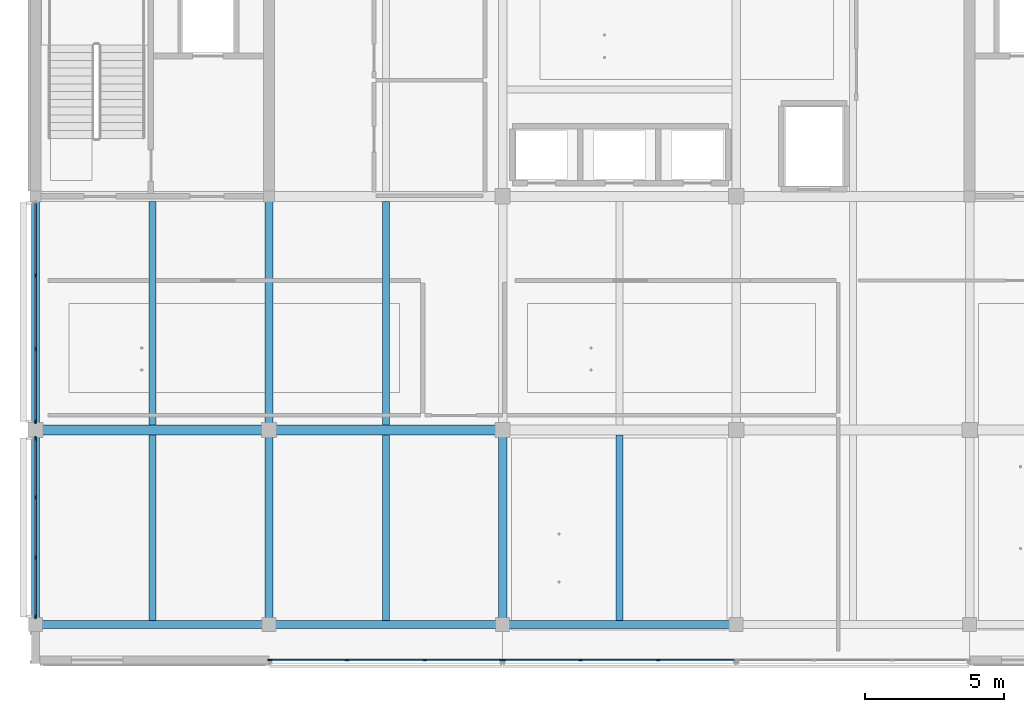
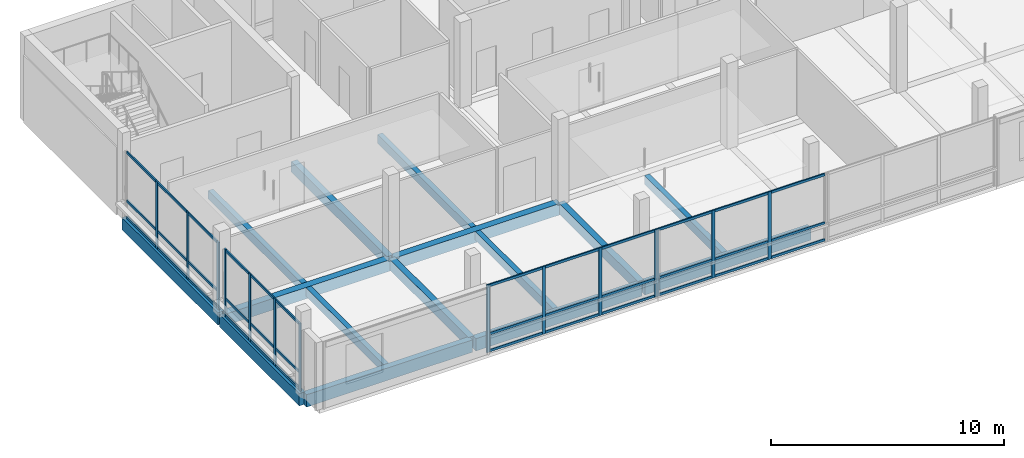
# One storey, part 2 of 20: 50 members, 15 beams, 4 elements without a shape of their own.
"""IFC4 building model written with IfcOpenShell, lengths in metres."""

from ifc_helpers import new_model, si_unit, direction, frame, origin, origin_2d, place, context, subcontext, project, spatial, rectangle, extrude, material, layer, layer_set, material_profile, profile_set, type_object, element, aggregate, save


model = new_model("IFC4")

# Units and contexts
model_context = context("Model", 3, precision=1e-05, world=origin(), true_north=direction((0.0, 1.0)))
body_context = subcontext(model_context, "Body", "Model", "MODEL_VIEW")
ifc_project = project(units=[si_unit("LENGTHUNIT", "METRE"), si_unit("AREAUNIT", "SQUARE_METRE"), si_unit("VOLUMEUNIT", "CUBIC_METRE"), si_unit("PLANEANGLEUNIT", "RADIAN"), si_unit("MASSUNIT", "GRAM", prefix="KILO")], contexts=[model_context])

# Site, building, storey
site_placement = place(None, origin())
site = spatial("IfcSite", under=ifc_project, at=site_placement, CompositionType="ELEMENT")
building_placement = place(site_placement, origin())
building = spatial("IfcBuilding", under=site, at=building_placement, Name="Telukmera Botanical Conservatory", CompositionType="ELEMENT")
storey_placement = place(building_placement, frame((0.0, 0.0, 69.0)))
storey = spatial("IfcBuildingStorey", under=building, at=storey_placement, Name="L15", CompositionType="ELEMENT", Elevation=69.0)

# Beams
ifc_material_1 = material(Name="Concrete C40/50", Category="concrete")
ifc_material_profile_1 = material_profile(ifc_material_1, rectangle(XDim=0.300048828125, YDim=0.550048828125, at=origin_2d()), Name="RC 300x550")
ifc_profile_set_1 = profile_set([ifc_material_profile_1], Name="Concrete C40/50")
beam_type_1 = type_object("IfcBeamType", Name="Beam_B10", PredefinedType="BEAM", material=ifc_profile_set_1)
beam_1_placement = place(storey_placement, frame((67.199951171875, 10.679931640625, -0.27490234375), z_axis=(0.0, 1.0, 0.0), x_axis=(-1.0, 0.0, 0.0)))
element("IfcBeam", 1, at=beam_1_placement, inside=storey, type_object=beam_type_1, Name="Tower Transverse Beam L15", PredefinedType="BEAM", context=body_context, shape_type="SweptSolid", body=[
    extrude(rectangle(XDim=0.300048828125, YDim=0.550048828125, at=origin_2d()), origin(), (0.0, 0.0, 1.0), 6.840087890625),
])
beam_2_placement = place(storey_placement, frame((67.199951171875, 17.679931640625, -0.27490234375), z_axis=(0.0, 1.0, 0.0), x_axis=(-1.0, 0.0, 0.0)))
element("IfcBeam", 2, at=beam_2_placement, inside=storey, type_object=beam_type_1, Name="Tower Transverse Beam L15", PredefinedType="BEAM", context=body_context, shape_type="SweptSolid", body=[
    extrude(rectangle(XDim=0.300048828125, YDim=0.550048828125, at=origin_2d()), origin(), (0.0, 0.0, 1.0), 8.239990234375),
])
beam_3_placement = place(storey_placement, frame((75.60009765625, 10.679931640625, -0.27490234375), z_axis=(0.0, 1.0, 0.0), x_axis=(-1.0, 0.0, 0.0)))
element("IfcBeam", 3, at=beam_3_placement, inside=storey, type_object=beam_type_1, Name="Tower Transverse Beam L15", PredefinedType="BEAM", context=body_context, shape_type="SweptSolid", body=[
    extrude(rectangle(XDim=0.300048828125, YDim=0.550048828125, at=origin_2d()), origin(), (0.0, 0.0, 1.0), 6.840087890625),
])
ifc_material_profile_2 = material_profile(ifc_material_1, rectangle(XDim=0.25, YDim=0.449951171875, at=origin_2d()), Name="RC 250x450")
ifc_profile_set_2 = profile_set([ifc_material_profile_2], Name="Concrete C40/50")
beam_type_2 = type_object("IfcBeamType", Name="Beam_B27", PredefinedType="JOIST", material=ifc_profile_set_2)
beam_4_placement = place(storey_placement, frame((63.0, 10.75, -0.22509765625), z_axis=(0.0, 1.0, 0.0), x_axis=(-1.0, 0.0, 0.0)))
element("IfcBeam", 4, at=beam_4_placement, inside=storey, type_object=beam_type_2, Name="Tower Secondary Floor Joist L15", PredefinedType="JOIST", context=body_context, shape_type="SweptSolid", body=[
    extrude(rectangle(XDim=0.25, YDim=0.449951171875, at=origin_2d()), origin(), (0.0, 0.0, 1.0), 6.675048828125),
])
beam_5_placement = place(storey_placement, frame((63.0, 17.77490234375, -0.22509765625), z_axis=(0.0, 1.0, 0.0), x_axis=(-1.0, 0.0, 0.0)))
element("IfcBeam", 5, at=beam_5_placement, inside=storey, type_object=beam_type_2, Name="Tower Secondary Floor Joist L15", PredefinedType="JOIST", context=body_context, shape_type="SweptSolid", body=[
    extrude(rectangle(XDim=0.25, YDim=0.449951171875, at=origin_2d()), origin(), (0.0, 0.0, 1.0), 8.050048828125),
])
beam_6_placement = place(storey_placement, frame((71.39990234375, 10.75, -0.22509765625), z_axis=(0.0, 1.0, 0.0), x_axis=(-1.0, 0.0, 0.0)))
element("IfcBeam", 6, at=beam_6_placement, inside=storey, type_object=beam_type_2, Name="Tower Secondary Floor Joist L15", PredefinedType="JOIST", context=body_context, shape_type="SweptSolid", body=[
    extrude(rectangle(XDim=0.25, YDim=0.449951171875, at=origin_2d()), origin(), (0.0, 0.0, 1.0), 6.675048828125),
])
beam_7_placement = place(storey_placement, frame((71.39990234375, 17.77490234375, -0.22509765625), z_axis=(0.0, 1.0, 0.0), x_axis=(-1.0, 0.0, 0.0)))
element("IfcBeam", 7, at=beam_7_placement, inside=storey, type_object=beam_type_2, Name="Tower Secondary Floor Joist L15", PredefinedType="JOIST", context=body_context, shape_type="SweptSolid", body=[
    extrude(rectangle(XDim=0.25, YDim=0.449951171875, at=origin_2d()), origin(), (0.0, 0.0, 1.0), 8.050048828125),
])
beam_8_placement = place(storey_placement, frame((79.800048828125, 10.75, -0.22509765625), z_axis=(0.0, 1.0, 0.0), x_axis=(-1.0, 0.0, 0.0)))
element("IfcBeam", 8, at=beam_8_placement, inside=storey, type_object=beam_type_2, Name="Tower Secondary Floor Joist L15", PredefinedType="JOIST", context=body_context, shape_type="SweptSolid", body=[
    extrude(rectangle(XDim=0.25, YDim=0.449951171875, at=origin_2d()), origin(), (0.0, 0.0, 1.0), 6.675048828125),
])
ifc_material_profile_3 = material_profile(ifc_material_1, rectangle(XDim=0.35009765625, YDim=0.60009765625, at=origin_2d()), Name="RC 350x600")
ifc_profile_set_3 = profile_set([ifc_material_profile_3], Name="Concrete C40/50")
beam_type_3 = type_object("IfcBeamType", Name="Beam_B9", PredefinedType="BEAM", material=ifc_profile_set_3)
beam_9_placement = place(storey_placement, frame((58.8798828125, 17.60009765625, -0.300048828125), z_axis=(1.0, 0.0, 0.0), x_axis=(0.0, 1.0, 0.0)))
element("IfcBeam", 9, at=beam_9_placement, inside=storey, type_object=beam_type_3, Name="Tower Grid Beam L15", PredefinedType="BEAM", context=body_context, shape_type="SweptSolid", body=[
    extrude(rectangle(XDim=0.35009765625, YDim=0.60009765625, at=origin_2d()), origin(), (0.0, 0.0, 1.0), 8.240234375),
])
beam_10_placement = place(storey_placement, frame((67.280029296875, 17.60009765625, -0.300048828125), z_axis=(1.0, 0.0, 0.0), x_axis=(0.0, 1.0, 0.0)))
element("IfcBeam", 10, at=beam_10_placement, inside=storey, type_object=beam_type_3, Name="Tower Grid Beam L15", PredefinedType="BEAM", context=body_context, shape_type="SweptSolid", body=[
    extrude(rectangle(XDim=0.35009765625, YDim=0.60009765625, at=origin_2d()), origin(), (0.0, 0.0, 1.0), 8.239990234375),
])
ifc_material_2 = material(Name="Precast concrete C40/50", Category="concrete")
ifc_material_profile_4 = material_profile(ifc_material_2, rectangle(XDim=0.300048828125, YDim=0.64990234375, at=origin_2d()), Name="PC 300x650")
ifc_profile_set_4 = profile_set([ifc_material_profile_4], Name="Precast concrete C40/50")
beam_type_4 = type_object("IfcBeamType", Name="Beam_SP4", PredefinedType="SPANDREL", material=ifc_profile_set_4)
beam_11_placement = place(storey_placement, frame((58.8798828125, 10.60009765625, -0.324951171875), z_axis=(1.0, 0.0, 0.0), x_axis=(0.0, 1.0, 0.0)))
element("IfcBeam", 11, at=beam_11_placement, inside=storey, type_object=beam_type_4, Name="Tower Grid Beam L15", PredefinedType="SPANDREL", context=body_context, shape_type="SweptSolid", body=[
    extrude(rectangle(XDim=0.300048828125, YDim=0.64990234375, at=origin_2d()), origin(), (0.0, 0.0, 1.0), 8.240234375),
])
for number, where, z_axis, x_axis, name in (
    (12, (67.280029296875, 10.60009765625, -0.324951171875), (1.0, 0.0, 0.0), (0.0, 1.0, 0.0), "Tower Grid Beam L15"),
    (13, (75.679931640625, 10.60009765625, -0.324951171875), (1.0, 0.0, 0.0), (0.0, 1.0, 0.0), "Tower Grid Beam L15"),
):
    element("IfcBeam", number, at=place(storey_placement, frame(where, z_axis=z_axis, x_axis=x_axis)), inside=storey, type_object=beam_type_4, Name=name, PredefinedType="SPANDREL", context=body_context, shape_type="SweptSolid", body=[
        extrude(rectangle(XDim=0.300048828125, YDim=0.64990234375, at=origin_2d()), origin(), (0.0, 0.0, 1.0), 8.239990234375),
    ])
beam_12_placement = place(storey_placement, frame((58.800048828125, 10.679931640625, -0.324951171875), z_axis=(0.0, 1.0, 0.0), x_axis=(-1.0, 0.0, 0.0)))
element("IfcBeam", 14, at=beam_12_placement, inside=storey, type_object=beam_type_4, Name="Tower Transverse Beam L15", PredefinedType="SPANDREL", context=body_context, shape_type="SweptSolid", body=[
    extrude(rectangle(XDim=0.300048828125, YDim=0.64990234375, at=origin_2d()), origin(), (0.0, 0.0, 1.0), 6.840087890625),
])
beam_13_placement = place(storey_placement, frame((58.800048828125, 17.679931640625, -0.324951171875), z_axis=(0.0, 1.0, 0.0), x_axis=(-1.0, 0.0, 0.0)))
element("IfcBeam", 15, at=beam_13_placement, inside=storey, type_object=beam_type_4, Name="Tower Transverse Beam L15", PredefinedType="SPANDREL", context=body_context, shape_type="SweptSolid", body=[
    extrude(rectangle(XDim=0.300048828125, YDim=0.64990234375, at=origin_2d()), origin(), (0.0, 0.0, 1.0), 8.239990234375),
])

# Curtain wall, members
ifc_material_3 = material(Name="Anodised aluminium 6063-T6", Category="aluminium")
ifc_layer = layer(ifc_material_3, 0.179931640625)
ifc_layer_set = layer_set([ifc_layer], Name="Anodised aluminium 6063-T6")
curtain_wall_type = type_object("IfcCurtainWallType", Name="Tower Sky Gallery Panoramic Curtain Wall", PredefinedType="USERDEFINED", material=ifc_layer_set)
curtain_wall_1_placement = place(storey_placement, origin())
curtain_wall_1 = element("IfcCurtainWall", 16, at=curtain_wall_1_placement, inside=storey, type_object=curtain_wall_type, Name="Unitised Curtain Wall CW16 V4:L15:S2", ObjectType="UNITISED CURTAIN WALL", PredefinedType="USERDEFINED")
ifc_material_profile_5 = material_profile(ifc_material_3, rectangle(XDim=0.06494140625, YDim=0.159912109375, at=origin_2d()), Name="ALU MULL 65x160")
ifc_profile_set_5 = profile_set([ifc_material_profile_5], Name="Anodised aluminium 6063-T6")
member_type_1 = type_object("IfcMemberType", Name="Curtain Wall Extruded Mullion 65x160", PredefinedType="MULLION", material=ifc_profile_set_5)
member_1_placement = place(storey_placement, frame((67.234619140625, 9.320068359375, 0.0), z_axis=(0.0, 0.0, 1.0), x_axis=(0.0, 1.0, 0.0)))
member_1 = element("IfcMember", 17, at=member_1_placement, type_object=member_type_1, Name="CW16 mullion 1", PredefinedType="MULLION", context=body_context, shape_type="SweptSolid", body=[
    extrude(rectangle(XDim=0.06494140625, YDim=0.159912109375, at=origin_2d()), origin(), (0.0, 0.0, 1.0), 3.550048828125),
])
member_2_placement = place(storey_placement, frame((70.000732421875, 9.320068359375, 0.0), z_axis=(0.0, 0.0, 1.0), x_axis=(0.0, 1.0, 0.0)))
member_2 = element("IfcMember", 18, at=member_2_placement, type_object=member_type_1, Name="CW16 mullion 2", PredefinedType="MULLION", context=body_context, shape_type="SweptSolid", body=[
    extrude(rectangle(XDim=0.06494140625, YDim=0.159912109375, at=origin_2d()), origin(), (0.0, 0.0, 1.0), 3.550048828125),
])
member_3_placement = place(storey_placement, frame((72.79931640625, 9.320068359375, 0.0), z_axis=(0.0, 0.0, 1.0), x_axis=(0.0, 1.0, 0.0)))
member_3 = element("IfcMember", 19, at=member_3_placement, type_object=member_type_1, Name="CW16 mullion 3", PredefinedType="MULLION", context=body_context, shape_type="SweptSolid", body=[
    extrude(rectangle(XDim=0.06494140625, YDim=0.159912109375, at=origin_2d()), origin(), (0.0, 0.0, 1.0), 3.550048828125),
])
member_4_placement = place(storey_placement, frame((75.5654296875, 9.320068359375, 0.0), z_axis=(0.0, 0.0, 1.0), x_axis=(0.0, 1.0, 0.0)))
member_4 = element("IfcMember", 20, at=member_4_placement, type_object=member_type_1, Name="CW16 mullion 4", PredefinedType="MULLION", context=body_context, shape_type="SweptSolid", body=[
    extrude(rectangle(XDim=0.06494140625, YDim=0.159912109375, at=origin_2d()), origin(), (0.0, 0.0, 1.0), 3.550048828125),
])

curtain_wall_2_placement = place(storey_placement, origin())
curtain_wall_2 = element("IfcCurtainWall", 21, at=curtain_wall_2_placement, inside=storey, type_object=curtain_wall_type, Name="Unitised Curtain Wall CW16 V4:L15:S3", ObjectType="UNITISED CURTAIN WALL", PredefinedType="USERDEFINED")
member_5_placement = place(storey_placement, frame((75.634521484375, 9.320068359375, 0.0), z_axis=(0.0, 0.0, 1.0), x_axis=(0.0, 1.0, 0.0)))
member_5 = element("IfcMember", 22, at=member_5_placement, type_object=member_type_1, Name="CW16 mullion 1", PredefinedType="MULLION", context=body_context, shape_type="SweptSolid", body=[
    extrude(rectangle(XDim=0.06494140625, YDim=0.159912109375, at=origin_2d()), origin(), (0.0, 0.0, 1.0), 3.550048828125),
])
member_6_placement = place(storey_placement, frame((78.400634765625, 9.320068359375, 0.0), z_axis=(0.0, 0.0, 1.0), x_axis=(0.0, 1.0, 0.0)))
member_6 = element("IfcMember", 23, at=member_6_placement, type_object=member_type_1, Name="CW16 mullion 2", PredefinedType="MULLION", context=body_context, shape_type="SweptSolid", body=[
    extrude(rectangle(XDim=0.06494140625, YDim=0.159912109375, at=origin_2d()), origin(), (0.0, 0.0, 1.0), 3.550048828125),
])
member_7_placement = place(storey_placement, frame((81.19921875, 9.320068359375, 0.0), z_axis=(0.0, 0.0, 1.0), x_axis=(0.0, 1.0, 0.0)))
member_7 = element("IfcMember", 24, at=member_7_placement, type_object=member_type_1, Name="CW16 mullion 3", PredefinedType="MULLION", context=body_context, shape_type="SweptSolid", body=[
    extrude(rectangle(XDim=0.06494140625, YDim=0.159912109375, at=origin_2d()), origin(), (0.0, 0.0, 1.0), 3.550048828125),
])

curtain_wall_3_placement = place(storey_placement, origin())
curtain_wall_3 = element("IfcCurtainWall", 25, at=curtain_wall_3_placement, inside=storey, type_object=curtain_wall_type, Name="Unitised Curtain Wall CW16 V4:L15:W1", ObjectType="UNITISED CURTAIN WALL", PredefinedType="USERDEFINED")
member_8_placement = place(storey_placement, frame((58.800048828125, 10.884521484375, 0.0), z_axis=(0.0, 0.0, 1.0), x_axis=(-1.0, 0.0, 0.0)))
member_8 = element("IfcMember", 26, at=member_8_placement, type_object=member_type_1, Name="CW16 mullion 1", PredefinedType="MULLION", context=body_context, shape_type="SweptSolid", body=[
    extrude(rectangle(XDim=0.06494140625, YDim=0.159912109375, at=origin_2d()), origin(), (0.0, 0.0, 1.0), 3.550048828125),
])
member_9_placement = place(storey_placement, frame((58.800048828125, 13.009033203125, 0.0), z_axis=(0.0, 0.0, 1.0), x_axis=(-1.0, 0.0, 0.0)))
member_9 = element("IfcMember", 27, at=member_9_placement, type_object=member_type_1, Name="CW16 mullion 2", PredefinedType="MULLION", context=body_context, shape_type="SweptSolid", body=[
    extrude(rectangle(XDim=0.06494140625, YDim=0.159912109375, at=origin_2d()), origin(), (0.0, 0.0, 1.0), 3.550048828125),
])
member_10_placement = place(storey_placement, frame((58.800048828125, 15.166015625, 0.0), z_axis=(0.0, 0.0, 1.0), x_axis=(-1.0, 0.0, 0.0)))
member_10 = element("IfcMember", 28, at=member_10_placement, type_object=member_type_1, Name="CW16 mullion 3", PredefinedType="MULLION", context=body_context, shape_type="SweptSolid", body=[
    extrude(rectangle(XDim=0.06494140625, YDim=0.159912109375, at=origin_2d()), origin(), (0.0, 0.0, 1.0), 3.550048828125),
])
member_11_placement = place(storey_placement, frame((58.800048828125, 17.29052734375, 0.0), z_axis=(0.0, 0.0, 1.0), x_axis=(-1.0, 0.0, 0.0)))
member_11 = element("IfcMember", 29, at=member_11_placement, type_object=member_type_1, Name="CW16 mullion 4", PredefinedType="MULLION", context=body_context, shape_type="SweptSolid", body=[
    extrude(rectangle(XDim=0.06494140625, YDim=0.159912109375, at=origin_2d()), origin(), (0.0, 0.0, 1.0), 3.550048828125),
])

curtain_wall_4_placement = place(storey_placement, origin())
curtain_wall_4 = element("IfcCurtainWall", 30, at=curtain_wall_4_placement, inside=storey, type_object=curtain_wall_type, Name="Unitised Curtain Wall CW16 V4:L15:W2", ObjectType="UNITISED CURTAIN WALL", PredefinedType="USERDEFINED")
member_12_placement = place(storey_placement, frame((58.800048828125, 17.909423828125, 0.0), z_axis=(0.0, 0.0, 1.0), x_axis=(-1.0, 0.0, 0.0)))
member_12 = element("IfcMember", 31, at=member_12_placement, type_object=member_type_1, Name="CW16 mullion 1", PredefinedType="MULLION", context=body_context, shape_type="SweptSolid", body=[
    extrude(rectangle(XDim=0.06494140625, YDim=0.159912109375, at=origin_2d()), origin(), (0.0, 0.0, 1.0), 3.550048828125),
])
member_13_placement = place(storey_placement, frame((58.800048828125, 20.517333984375, 0.0), z_axis=(0.0, 0.0, 1.0), x_axis=(-1.0, 0.0, 0.0)))
member_13 = element("IfcMember", 32, at=member_13_placement, type_object=member_type_1, Name="CW16 mullion 2", PredefinedType="MULLION", context=body_context, shape_type="SweptSolid", body=[
    extrude(rectangle(XDim=0.06494140625, YDim=0.159912109375, at=origin_2d()), origin(), (0.0, 0.0, 1.0), 3.550048828125),
])
member_14_placement = place(storey_placement, frame((58.800048828125, 23.15771484375, 0.0), z_axis=(0.0, 0.0, 1.0), x_axis=(-1.0, 0.0, 0.0)))
member_14 = element("IfcMember", 33, at=member_14_placement, type_object=member_type_1, Name="CW16 mullion 3", PredefinedType="MULLION", context=body_context, shape_type="SweptSolid", body=[
    extrude(rectangle(XDim=0.06494140625, YDim=0.159912109375, at=origin_2d()), origin(), (0.0, 0.0, 1.0), 3.550048828125),
])

# Member
ifc_material_profile_6 = material_profile(ifc_material_3, rectangle(XDim=0.06494140625, YDim=0.1298828125, at=origin_2d()), Name="ALU TRAN 65x130")
ifc_profile_set_6 = profile_set([ifc_material_profile_6], Name="Anodised aluminium 6063-T6")
member_type_2 = type_object("IfcMemberType", Name="Curtain Wall Extruded Transom 65x130", PredefinedType="USERDEFINED", material=ifc_profile_set_6)
member_15_placement = place(storey_placement, frame((67.26708984375, 9.320068359375, 0.06494140625), z_axis=(1.0, 0.0, 0.0), x_axis=(0.0, 1.0, 0.0)))
member_15 = element("IfcMember", 34, at=member_15_placement, type_object=member_type_2, Name="CW16 transom 1.1", ObjectType="TRANSOM", PredefinedType="USERDEFINED", context=body_context, shape_type="SweptSolid", body=[
    extrude(rectangle(XDim=0.06494140625, YDim=0.1298828125, at=origin_2d()), origin(), (0.0, 0.0, 1.0), 2.701171875),
])

member_16_placement = place(storey_placement, frame((67.26708984375, 9.320068359375, 0.949951171875), z_axis=(1.0, 0.0, 0.0), x_axis=(0.0, 1.0, 0.0)))
member_16 = element("IfcMember", 35, at=member_16_placement, type_object=member_type_2, Name="CW16 transom 1.2", ObjectType="TRANSOM", PredefinedType="USERDEFINED", context=body_context, shape_type="SweptSolid", body=[
    extrude(rectangle(XDim=0.06494140625, YDim=0.1298828125, at=origin_2d()), origin(), (0.0, 0.0, 1.0), 2.701171875),
])

member_17_placement = place(storey_placement, frame((67.26708984375, 9.320068359375, 3.485107421875), z_axis=(1.0, 0.0, 0.0), x_axis=(0.0, 1.0, 0.0)))
member_17 = element("IfcMember", 36, at=member_17_placement, type_object=member_type_2, Name="CW16 transom 1.3", ObjectType="TRANSOM", PredefinedType="USERDEFINED", context=body_context, shape_type="SweptSolid", body=[
    extrude(rectangle(XDim=0.06494140625, YDim=0.1298828125, at=origin_2d()), origin(), (0.0, 0.0, 1.0), 2.701171875),
])

member_18_placement = place(storey_placement, frame((70.033203125, 9.320068359375, 0.06494140625), z_axis=(1.0, 0.0, 0.0), x_axis=(0.0, 1.0, 0.0)))
member_18 = element("IfcMember", 37, at=member_18_placement, type_object=member_type_2, Name="CW16 transom 2.1", ObjectType="TRANSOM", PredefinedType="USERDEFINED", context=body_context, shape_type="SweptSolid", body=[
    extrude(rectangle(XDim=0.06494140625, YDim=0.1298828125, at=origin_2d()), origin(), (0.0, 0.0, 1.0), 2.733642578125),
])

member_19_placement = place(storey_placement, frame((70.033203125, 9.320068359375, 0.949951171875), z_axis=(1.0, 0.0, 0.0), x_axis=(0.0, 1.0, 0.0)))
member_19 = element("IfcMember", 38, at=member_19_placement, type_object=member_type_2, Name="CW16 transom 2.2", ObjectType="TRANSOM", PredefinedType="USERDEFINED", context=body_context, shape_type="SweptSolid", body=[
    extrude(rectangle(XDim=0.06494140625, YDim=0.1298828125, at=origin_2d()), origin(), (0.0, 0.0, 1.0), 2.733642578125),
])

member_20_placement = place(storey_placement, frame((70.033203125, 9.320068359375, 3.485107421875), z_axis=(1.0, 0.0, 0.0), x_axis=(0.0, 1.0, 0.0)))
member_20 = element("IfcMember", 39, at=member_20_placement, type_object=member_type_2, Name="CW16 transom 2.3", ObjectType="TRANSOM", PredefinedType="USERDEFINED", context=body_context, shape_type="SweptSolid", body=[
    extrude(rectangle(XDim=0.06494140625, YDim=0.1298828125, at=origin_2d()), origin(), (0.0, 0.0, 1.0), 2.733642578125),
])

member_21_placement = place(storey_placement, frame((72.831787109375, 9.320068359375, 0.06494140625), z_axis=(1.0, 0.0, 0.0), x_axis=(0.0, 1.0, 0.0)))
member_21 = element("IfcMember", 40, at=member_21_placement, type_object=member_type_2, Name="CW16 transom 3.1", ObjectType="TRANSOM", PredefinedType="USERDEFINED", context=body_context, shape_type="SweptSolid", body=[
    extrude(rectangle(XDim=0.06494140625, YDim=0.1298828125, at=origin_2d()), origin(), (0.0, 0.0, 1.0), 2.701171875),
])

member_22_placement = place(storey_placement, frame((72.831787109375, 9.320068359375, 0.949951171875), z_axis=(1.0, 0.0, 0.0), x_axis=(0.0, 1.0, 0.0)))
member_22 = element("IfcMember", 41, at=member_22_placement, type_object=member_type_2, Name="CW16 transom 3.2", ObjectType="TRANSOM", PredefinedType="USERDEFINED", context=body_context, shape_type="SweptSolid", body=[
    extrude(rectangle(XDim=0.06494140625, YDim=0.1298828125, at=origin_2d()), origin(), (0.0, 0.0, 1.0), 2.701171875),
])

member_23_placement = place(storey_placement, frame((72.831787109375, 9.320068359375, 3.485107421875), z_axis=(1.0, 0.0, 0.0), x_axis=(0.0, 1.0, 0.0)))
member_23 = element("IfcMember", 42, at=member_23_placement, type_object=member_type_2, Name="CW16 transom 3.3", ObjectType="TRANSOM", PredefinedType="USERDEFINED", context=body_context, shape_type="SweptSolid", body=[
    extrude(rectangle(XDim=0.06494140625, YDim=0.1298828125, at=origin_2d()), origin(), (0.0, 0.0, 1.0), 2.701171875),
])

aggregate(curtain_wall_1, [member_1, member_2, member_3, member_4, member_15, member_16, member_17, member_18, member_19, member_20, member_21, member_22, member_23])

member_24_placement = place(storey_placement, frame((75.6669921875, 9.320068359375, 0.06494140625), z_axis=(1.0, 0.0, 0.0), x_axis=(0.0, 1.0, 0.0)))
member_24 = element("IfcMember", 43, at=member_24_placement, type_object=member_type_2, Name="CW16 transom 1.1", ObjectType="TRANSOM", PredefinedType="USERDEFINED", context=body_context, shape_type="SweptSolid", body=[
    extrude(rectangle(XDim=0.06494140625, YDim=0.1298828125, at=origin_2d()), origin(), (0.0, 0.0, 1.0), 2.701171875),
])

member_25_placement = place(storey_placement, frame((75.6669921875, 9.320068359375, 0.949951171875), z_axis=(1.0, 0.0, 0.0), x_axis=(0.0, 1.0, 0.0)))
member_25 = element("IfcMember", 44, at=member_25_placement, type_object=member_type_2, Name="CW16 transom 1.2", ObjectType="TRANSOM", PredefinedType="USERDEFINED", context=body_context, shape_type="SweptSolid", body=[
    extrude(rectangle(XDim=0.06494140625, YDim=0.1298828125, at=origin_2d()), origin(), (0.0, 0.0, 1.0), 2.701171875),
])

member_26_placement = place(storey_placement, frame((75.6669921875, 9.320068359375, 3.485107421875), z_axis=(1.0, 0.0, 0.0), x_axis=(0.0, 1.0, 0.0)))
member_26 = element("IfcMember", 45, at=member_26_placement, type_object=member_type_2, Name="CW16 transom 1.3", ObjectType="TRANSOM", PredefinedType="USERDEFINED", context=body_context, shape_type="SweptSolid", body=[
    extrude(rectangle(XDim=0.06494140625, YDim=0.1298828125, at=origin_2d()), origin(), (0.0, 0.0, 1.0), 2.701171875),
])

member_27_placement = place(storey_placement, frame((78.43310546875, 9.320068359375, 0.06494140625), z_axis=(1.0, 0.0, 0.0), x_axis=(0.0, 1.0, 0.0)))
member_27 = element("IfcMember", 46, at=member_27_placement, type_object=member_type_2, Name="CW16 transom 2.1", ObjectType="TRANSOM", PredefinedType="USERDEFINED", context=body_context, shape_type="SweptSolid", body=[
    extrude(rectangle(XDim=0.06494140625, YDim=0.1298828125, at=origin_2d()), origin(), (0.0, 0.0, 1.0), 2.733642578125),
])

member_28_placement = place(storey_placement, frame((78.43310546875, 9.320068359375, 0.949951171875), z_axis=(1.0, 0.0, 0.0), x_axis=(0.0, 1.0, 0.0)))
member_28 = element("IfcMember", 47, at=member_28_placement, type_object=member_type_2, Name="CW16 transom 2.2", ObjectType="TRANSOM", PredefinedType="USERDEFINED", context=body_context, shape_type="SweptSolid", body=[
    extrude(rectangle(XDim=0.06494140625, YDim=0.1298828125, at=origin_2d()), origin(), (0.0, 0.0, 1.0), 2.733642578125),
])

member_29_placement = place(storey_placement, frame((78.43310546875, 9.320068359375, 3.485107421875), z_axis=(1.0, 0.0, 0.0), x_axis=(0.0, 1.0, 0.0)))
member_29 = element("IfcMember", 48, at=member_29_placement, type_object=member_type_2, Name="CW16 transom 2.3", ObjectType="TRANSOM", PredefinedType="USERDEFINED", context=body_context, shape_type="SweptSolid", body=[
    extrude(rectangle(XDim=0.06494140625, YDim=0.1298828125, at=origin_2d()), origin(), (0.0, 0.0, 1.0), 2.733642578125),
])

member_30_placement = place(storey_placement, frame((81.23193359375, 9.320068359375, 0.06494140625), z_axis=(1.0, 0.0, 0.0), x_axis=(0.0, 1.0, 0.0)))
member_30 = element("IfcMember", 49, at=member_30_placement, type_object=member_type_2, Name="CW16 transom 3.1", ObjectType="TRANSOM", PredefinedType="USERDEFINED", context=body_context, shape_type="SweptSolid", body=[
    extrude(rectangle(XDim=0.06494140625, YDim=0.1298828125, at=origin_2d()), origin(), (0.0, 0.0, 1.0), 2.701171875),
])

member_31_placement = place(storey_placement, frame((81.23193359375, 9.320068359375, 0.949951171875), z_axis=(1.0, 0.0, 0.0), x_axis=(0.0, 1.0, 0.0)))
member_31 = element("IfcMember", 50, at=member_31_placement, type_object=member_type_2, Name="CW16 transom 3.2", ObjectType="TRANSOM", PredefinedType="USERDEFINED", context=body_context, shape_type="SweptSolid", body=[
    extrude(rectangle(XDim=0.06494140625, YDim=0.1298828125, at=origin_2d()), origin(), (0.0, 0.0, 1.0), 2.701171875),
])

member_32_placement = place(storey_placement, frame((81.23193359375, 9.320068359375, 3.485107421875), z_axis=(1.0, 0.0, 0.0), x_axis=(0.0, 1.0, 0.0)))
member_32 = element("IfcMember", 51, at=member_32_placement, type_object=member_type_2, Name="CW16 transom 3.3", ObjectType="TRANSOM", PredefinedType="USERDEFINED", context=body_context, shape_type="SweptSolid", body=[
    extrude(rectangle(XDim=0.06494140625, YDim=0.1298828125, at=origin_2d()), origin(), (0.0, 0.0, 1.0), 2.701171875),
])

aggregate(curtain_wall_2, [member_5, member_6, member_7, member_24, member_25, member_26, member_27, member_28, member_29, member_30, member_31, member_32])

member_33_placement = place(storey_placement, frame((58.800048828125, 10.9169921875, 0.06494140625), z_axis=(0.0, 1.0, 0.0), x_axis=(-1.0, 0.0, 0.0)))
member_33 = element("IfcMember", 52, at=member_33_placement, type_object=member_type_2, Name="CW16 transom 1.1", ObjectType="TRANSOM", PredefinedType="USERDEFINED", context=body_context, shape_type="SweptSolid", body=[
    extrude(rectangle(XDim=0.06494140625, YDim=0.1298828125, at=origin_2d()), origin(), (0.0, 0.0, 1.0), 2.0595703125),
])

member_34_placement = place(storey_placement, frame((58.800048828125, 10.9169921875, 0.949951171875), z_axis=(0.0, 1.0, 0.0), x_axis=(-1.0, 0.0, 0.0)))
member_34 = element("IfcMember", 53, at=member_34_placement, type_object=member_type_2, Name="CW16 transom 1.2", ObjectType="TRANSOM", PredefinedType="USERDEFINED", context=body_context, shape_type="SweptSolid", body=[
    extrude(rectangle(XDim=0.06494140625, YDim=0.1298828125, at=origin_2d()), origin(), (0.0, 0.0, 1.0), 2.0595703125),
])

member_35_placement = place(storey_placement, frame((58.800048828125, 10.9169921875, 3.485107421875), z_axis=(0.0, 1.0, 0.0), x_axis=(-1.0, 0.0, 0.0)))
member_35 = element("IfcMember", 54, at=member_35_placement, type_object=member_type_2, Name="CW16 transom 1.3", ObjectType="TRANSOM", PredefinedType="USERDEFINED", context=body_context, shape_type="SweptSolid", body=[
    extrude(rectangle(XDim=0.06494140625, YDim=0.1298828125, at=origin_2d()), origin(), (0.0, 0.0, 1.0), 2.0595703125),
])

member_36_placement = place(storey_placement, frame((58.800048828125, 13.04150390625, 0.06494140625), z_axis=(0.0, 1.0, 0.0), x_axis=(-1.0, 0.0, 0.0)))
member_36 = element("IfcMember", 55, at=member_36_placement, type_object=member_type_2, Name="CW16 transom 2.1", ObjectType="TRANSOM", PredefinedType="USERDEFINED", context=body_context, shape_type="SweptSolid", body=[
    extrude(rectangle(XDim=0.06494140625, YDim=0.1298828125, at=origin_2d()), origin(), (0.0, 0.0, 1.0), 2.092041015625),
])

member_37_placement = place(storey_placement, frame((58.800048828125, 13.04150390625, 0.949951171875), z_axis=(0.0, 1.0, 0.0), x_axis=(-1.0, 0.0, 0.0)))
member_37 = element("IfcMember", 56, at=member_37_placement, type_object=member_type_2, Name="CW16 transom 2.2", ObjectType="TRANSOM", PredefinedType="USERDEFINED", context=body_context, shape_type="SweptSolid", body=[
    extrude(rectangle(XDim=0.06494140625, YDim=0.1298828125, at=origin_2d()), origin(), (0.0, 0.0, 1.0), 2.092041015625),
])

member_38_placement = place(storey_placement, frame((58.800048828125, 13.04150390625, 3.485107421875), z_axis=(0.0, 1.0, 0.0), x_axis=(-1.0, 0.0, 0.0)))
member_38 = element("IfcMember", 57, at=member_38_placement, type_object=member_type_2, Name="CW16 transom 2.3", ObjectType="TRANSOM", PredefinedType="USERDEFINED", context=body_context, shape_type="SweptSolid", body=[
    extrude(rectangle(XDim=0.06494140625, YDim=0.1298828125, at=origin_2d()), origin(), (0.0, 0.0, 1.0), 2.092041015625),
])

member_39_placement = place(storey_placement, frame((58.800048828125, 15.198486328125, 0.06494140625), z_axis=(0.0, 1.0, 0.0), x_axis=(-1.0, 0.0, 0.0)))
member_39 = element("IfcMember", 58, at=member_39_placement, type_object=member_type_2, Name="CW16 transom 3.1", ObjectType="TRANSOM", PredefinedType="USERDEFINED", context=body_context, shape_type="SweptSolid", body=[
    extrude(rectangle(XDim=0.06494140625, YDim=0.1298828125, at=origin_2d()), origin(), (0.0, 0.0, 1.0), 2.0595703125),
])

member_40_placement = place(storey_placement, frame((58.800048828125, 15.198486328125, 0.949951171875), z_axis=(0.0, 1.0, 0.0), x_axis=(-1.0, 0.0, 0.0)))
member_40 = element("IfcMember", 59, at=member_40_placement, type_object=member_type_2, Name="CW16 transom 3.2", ObjectType="TRANSOM", PredefinedType="USERDEFINED", context=body_context, shape_type="SweptSolid", body=[
    extrude(rectangle(XDim=0.06494140625, YDim=0.1298828125, at=origin_2d()), origin(), (0.0, 0.0, 1.0), 2.0595703125),
])

member_41_placement = place(storey_placement, frame((58.800048828125, 15.198486328125, 3.485107421875), z_axis=(0.0, 1.0, 0.0), x_axis=(-1.0, 0.0, 0.0)))
member_41 = element("IfcMember", 60, at=member_41_placement, type_object=member_type_2, Name="CW16 transom 3.3", ObjectType="TRANSOM", PredefinedType="USERDEFINED", context=body_context, shape_type="SweptSolid", body=[
    extrude(rectangle(XDim=0.06494140625, YDim=0.1298828125, at=origin_2d()), origin(), (0.0, 0.0, 1.0), 2.0595703125),
])

aggregate(curtain_wall_3, [member_8, member_9, member_10, member_11, member_33, member_34, member_35, member_36, member_37, member_38, member_39, member_40, member_41])

member_42_placement = place(storey_placement, frame((58.800048828125, 17.94189453125, 0.06494140625), z_axis=(0.0, 1.0, 0.0), x_axis=(-1.0, 0.0, 0.0)))
member_42 = element("IfcMember", 61, at=member_42_placement, type_object=member_type_2, Name="CW16 transom 1.1", ObjectType="TRANSOM", PredefinedType="USERDEFINED", context=body_context, shape_type="SweptSolid", body=[
    extrude(rectangle(XDim=0.06494140625, YDim=0.1298828125, at=origin_2d()), origin(), (0.0, 0.0, 1.0), 2.54296875),
])

member_43_placement = place(storey_placement, frame((58.800048828125, 17.94189453125, 0.949951171875), z_axis=(0.0, 1.0, 0.0), x_axis=(-1.0, 0.0, 0.0)))
member_43 = element("IfcMember", 62, at=member_43_placement, type_object=member_type_2, Name="CW16 transom 1.2", ObjectType="TRANSOM", PredefinedType="USERDEFINED", context=body_context, shape_type="SweptSolid", body=[
    extrude(rectangle(XDim=0.06494140625, YDim=0.1298828125, at=origin_2d()), origin(), (0.0, 0.0, 1.0), 2.54296875),
])

member_44_placement = place(storey_placement, frame((58.800048828125, 17.94189453125, 3.485107421875), z_axis=(0.0, 1.0, 0.0), x_axis=(-1.0, 0.0, 0.0)))
member_44 = element("IfcMember", 63, at=member_44_placement, type_object=member_type_2, Name="CW16 transom 1.3", ObjectType="TRANSOM", PredefinedType="USERDEFINED", context=body_context, shape_type="SweptSolid", body=[
    extrude(rectangle(XDim=0.06494140625, YDim=0.1298828125, at=origin_2d()), origin(), (0.0, 0.0, 1.0), 2.54296875),
])

member_45_placement = place(storey_placement, frame((58.800048828125, 20.5498046875, 0.06494140625), z_axis=(0.0, 1.0, 0.0), x_axis=(-1.0, 0.0, 0.0)))
member_45 = element("IfcMember", 64, at=member_45_placement, type_object=member_type_2, Name="CW16 transom 2.1", ObjectType="TRANSOM", PredefinedType="USERDEFINED", context=body_context, shape_type="SweptSolid", body=[
    extrude(rectangle(XDim=0.06494140625, YDim=0.1298828125, at=origin_2d()), origin(), (0.0, 0.0, 1.0), 2.575439453125),
])

member_46_placement = place(storey_placement, frame((58.800048828125, 20.5498046875, 0.949951171875), z_axis=(0.0, 1.0, 0.0), x_axis=(-1.0, 0.0, 0.0)))
member_46 = element("IfcMember", 65, at=member_46_placement, type_object=member_type_2, Name="CW16 transom 2.2", ObjectType="TRANSOM", PredefinedType="USERDEFINED", context=body_context, shape_type="SweptSolid", body=[
    extrude(rectangle(XDim=0.06494140625, YDim=0.1298828125, at=origin_2d()), origin(), (0.0, 0.0, 1.0), 2.575439453125),
])

member_47_placement = place(storey_placement, frame((58.800048828125, 20.5498046875, 3.485107421875), z_axis=(0.0, 1.0, 0.0), x_axis=(-1.0, 0.0, 0.0)))
member_47 = element("IfcMember", 66, at=member_47_placement, type_object=member_type_2, Name="CW16 transom 2.3", ObjectType="TRANSOM", PredefinedType="USERDEFINED", context=body_context, shape_type="SweptSolid", body=[
    extrude(rectangle(XDim=0.06494140625, YDim=0.1298828125, at=origin_2d()), origin(), (0.0, 0.0, 1.0), 2.575439453125),
])

member_48_placement = place(storey_placement, frame((58.800048828125, 23.190185546875, 0.06494140625), z_axis=(0.0, 1.0, 0.0), x_axis=(-1.0, 0.0, 0.0)))
member_48 = element("IfcMember", 67, at=member_48_placement, type_object=member_type_2, Name="CW16 transom 3.1", ObjectType="TRANSOM", PredefinedType="USERDEFINED", context=body_context, shape_type="SweptSolid", body=[
    extrude(rectangle(XDim=0.06494140625, YDim=0.1298828125, at=origin_2d()), origin(), (0.0, 0.0, 1.0), 2.542724609375),
])

member_49_placement = place(storey_placement, frame((58.800048828125, 23.190185546875, 0.949951171875), z_axis=(0.0, 1.0, 0.0), x_axis=(-1.0, 0.0, 0.0)))
member_49 = element("IfcMember", 68, at=member_49_placement, type_object=member_type_2, Name="CW16 transom 3.2", ObjectType="TRANSOM", PredefinedType="USERDEFINED", context=body_context, shape_type="SweptSolid", body=[
    extrude(rectangle(XDim=0.06494140625, YDim=0.1298828125, at=origin_2d()), origin(), (0.0, 0.0, 1.0), 2.542724609375),
])

member_50_placement = place(storey_placement, frame((58.800048828125, 23.190185546875, 3.485107421875), z_axis=(0.0, 1.0, 0.0), x_axis=(-1.0, 0.0, 0.0)))
member_50 = element("IfcMember", 69, at=member_50_placement, type_object=member_type_2, Name="CW16 transom 3.3", ObjectType="TRANSOM", PredefinedType="USERDEFINED", context=body_context, shape_type="SweptSolid", body=[
    extrude(rectangle(XDim=0.06494140625, YDim=0.1298828125, at=origin_2d()), origin(), (0.0, 0.0, 1.0), 2.542724609375),
])

aggregate(curtain_wall_4, [member_12, member_13, member_14, member_42, member_43, member_44, member_45, member_46, member_47, member_48, member_49, member_50])

save(model, "model.ifc")
